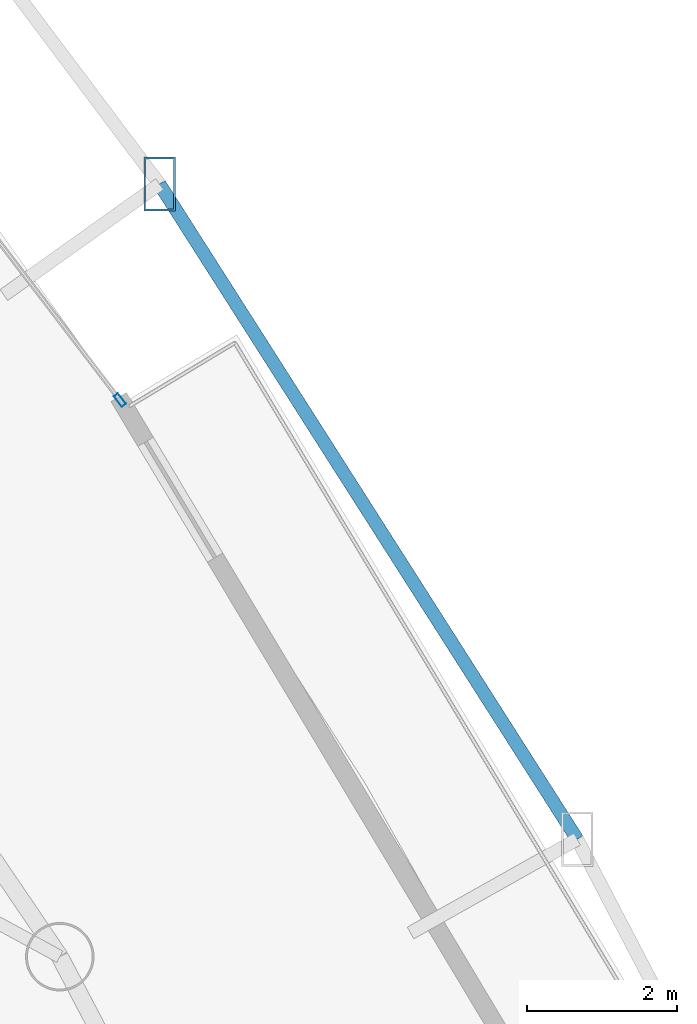
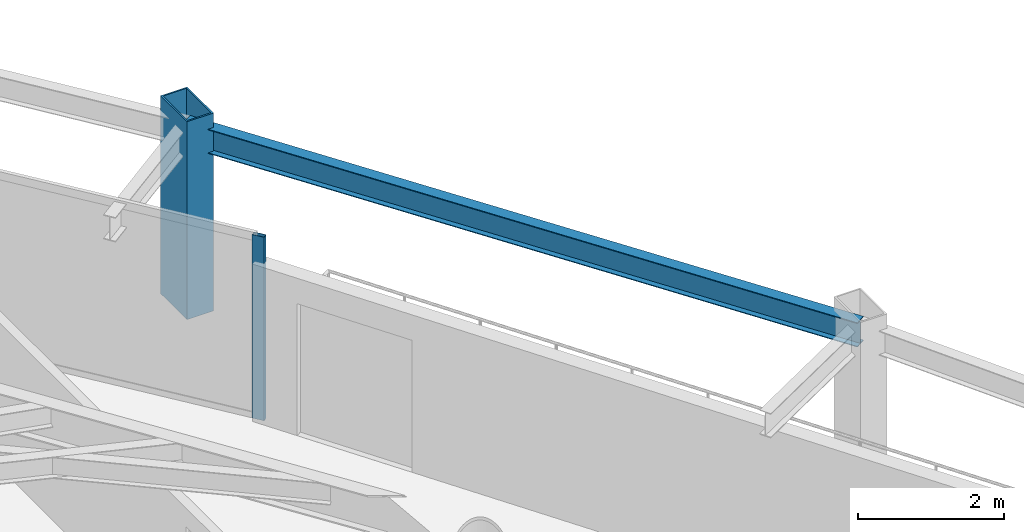
# One storey, part 25 of 33: 2 members, 1 beam, 1 element without a shape of its own.
"""IFC4 building model written with IfcOpenShell, lengths in metres."""

from ifc_helpers import new_model, si_unit, direction, frame, origin, origin_2d, place, context, subcontext, project, spatial, hollow_rectangle, i_section, extrude, material, layer, layer_set, material_profile, profile_set, type_object, element, aggregate, save


model = new_model("IFC4")

# Units and contexts
model_context = context("Model", 3, precision=1e-05, world=origin(), true_north=direction((0.0, 1.0)))
body_context = subcontext(model_context, "Body", "Model", "MODEL_VIEW")
ifc_project = project(units=[si_unit("LENGTHUNIT", "METRE"), si_unit("AREAUNIT", "SQUARE_METRE"), si_unit("VOLUMEUNIT", "CUBIC_METRE"), si_unit("PLANEANGLEUNIT", "RADIAN"), si_unit("MASSUNIT", "GRAM", prefix="KILO")], contexts=[model_context])

# Site, building, storey
site_placement = place(None, origin())
site = spatial("IfcSite", under=ifc_project, at=site_placement, CompositionType="ELEMENT")
building_placement = place(site_placement, origin())
building = spatial("IfcBuilding", under=site, at=building_placement, Name="Orvanel Arch Residences", CompositionType="ELEMENT")
storey_placement = place(building_placement, frame((0.0, 0.0, 90.64990234375)))
storey = spatial("IfcBuildingStorey", under=building, at=storey_placement, Name="L25", CompositionType="ELEMENT", Elevation=90.64990234375)

# Member
ifc_material_1 = material(Name="Structural steel AS/NZS 3678 Grade 350", Category="steel")
ifc_material_profile_1 = material_profile(ifc_material_1, hollow_rectangle(XDim=0.419921875, YDim=0.719970703125, WallThickness=0.02490234375, at=origin_2d()), Name="RHS720x420x25")
ifc_profile_set_1 = profile_set([ifc_material_profile_1], Name="Structural steel AS/NZS 3678 Grade 350")
member_type_1 = type_object("IfcMemberType", Name="CH-720RHS-EXT", PredefinedType="CHORD", material=ifc_profile_set_1)
member_1_placement = place(storey_placement, frame((46.760986328125, 37.947998046875, 0.0), z_axis=(0.0, 0.0, 1.0), x_axis=(1.0, 0.0, 0.0)))
element("IfcMember", 1, at=member_1_placement, inside=storey, type_object=member_type_1, Name="L25 Outer Perimeter Frame Post 11", PredefinedType="CHORD", context=body_context, shape_type="SweptSolid", body=[
    extrude(hollow_rectangle(XDim=0.419921875, YDim=0.719970703125, WallThickness=0.02490234375, at=origin_2d()), origin(), (0.0, 0.0, 1.0), 3.300048828125),
])

# Curtain wall, member
ifc_material_2 = material(Name="Bronze-anodised aluminium AA6063-T6", Category="aluminium")
ifc_layer = layer(ifc_material_2, 0.179931640625)
ifc_layer_set = layer_set([ifc_layer], Name="Bronze-anodised aluminium AA6063-T6")
curtain_wall_type = type_object("IfcCurtainWallType", Name="CW2-LOW-SYS", PredefinedType="NOTDEFINED", material=ifc_layer_set)
curtain_wall_placement = place(storey_placement, origin())
curtain_wall = element("IfcCurtainWall", 2, at=curtain_wall_placement, inside=storey, type_object=curtain_wall_type, Name="L25 CW2-LOW-SYS Unitised Curtain Wall", PredefinedType="NOTDEFINED")
ifc_material_profile_2 = material_profile(ifc_material_2, hollow_rectangle(XDim=0.070068359375, YDim=0.179931640625, WallThickness=0.00439453125, at=origin_2d()), Name="ALU180x70x4.5")
ifc_profile_set_2 = profile_set([ifc_material_profile_2], Name="Bronze-anodised aluminium AA6063-T6")
member_type_2 = type_object("IfcMemberType", Name="MUL-180x70", PredefinedType="MULLION", material=ifc_profile_set_2)
member_2_placement = place(storey_placement, frame((46.233642578125, 35.06787109375, 0.0), z_axis=(0.0, 0.0, 1.0), x_axis=(-0.794440878404, -0.607341494318, 0.0)))
member_2 = element("IfcMember", 3, at=member_2_placement, type_object=member_type_2, Name="CW-S2 mullion 1", PredefinedType="MULLION", context=body_context, shape_type="SweptSolid", body=[
    extrude(hollow_rectangle(XDim=0.070068359375, YDim=0.179931640625, WallThickness=0.00439453125, at=origin_2d()), origin(), (0.0, 0.0, 1.0), 3.06005859375),
])
aggregate(curtain_wall, [member_2])

# Beam
ifc_material_3 = material(Name="Structural steel AS/NZS 3679.1 Grade 300 (300 MPa)", Category="steel")
ifc_material_profile_3 = material_profile(ifc_material_3, i_section(OverallWidth=0.177978515625, OverallDepth=0.406005859375, WebThickness=0.0078125, FlangeThickness=0.0126953125, at=origin_2d()), Name="410UB59.7")
ifc_profile_set_3 = profile_set([ifc_material_profile_3], Name="Structural steel AS/NZS 3679.1 Grade 300 (300 MPa)")
beam_type = type_object("IfcBeamType", Name="OB-410UB-EXT", PredefinedType="SPANDREL", material=ifc_profile_set_3)
beam_placement = place(storey_placement, frame((52.3330078125, 29.2080078125, 2.857177734375), z_axis=(-0.537576389199, 0.843215053101, 0.0), x_axis=(-0.843215053101, -0.537576389199, 0.0)))
element("IfcBeam", 4, at=beam_placement, inside=storey, type_object=beam_type, Name="L25 Outer Perimeter Floor Ring Beam 10", PredefinedType="SPANDREL", context=body_context, shape_type="SweptSolid", body=[
    extrude(i_section(OverallWidth=0.177978515625, OverallDepth=0.406005859375, WebThickness=0.0078125, FlangeThickness=0.0126953125, at=origin_2d()), origin(), (0.0, 0.0, 1.0), 10.364990234375),
])

save(model, "model.ifc")
